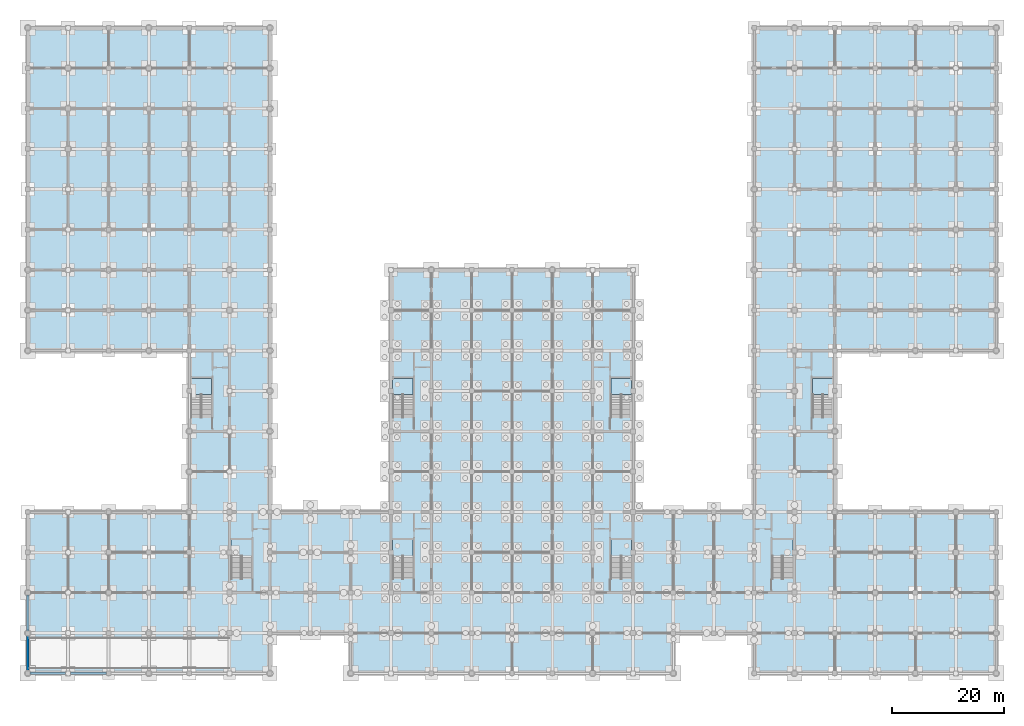
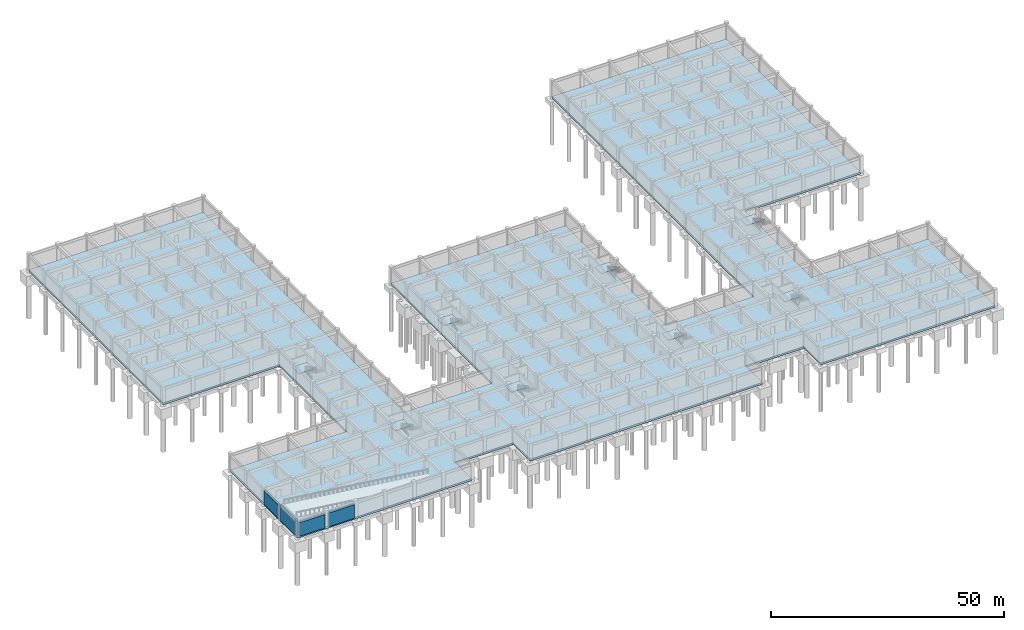
# One storey, part 13 of 25: 9 slabs, 4 walls, 8 elements without a shape of their own.
"""IFC4 building model written with IfcOpenShell, lengths in metres."""

from ifc_helpers import new_model, si_unit, direction, frame, frame_2d, origin, place, context, subcontext, project, spatial, polyline, rectangle, outline, extrude, material, layer, layer_set, type_object, element, aggregate, save


model = new_model("IFC4")

# Units and contexts
model_context = context("Model", 3, precision=1e-05, world=origin(), true_north=direction((0.0, 1.0)))
body_context = subcontext(model_context, "Body", "Model", "MODEL_VIEW")
ifc_project = project(units=[si_unit("LENGTHUNIT", "METRE"), si_unit("AREAUNIT", "SQUARE_METRE"), si_unit("VOLUMEUNIT", "CUBIC_METRE"), si_unit("PLANEANGLEUNIT", "RADIAN"), si_unit("MASSUNIT", "GRAM", prefix="KILO")], contexts=[model_context])

# Site, building, storey
site_placement = place(None, origin())
site = spatial("IfcSite", under=ifc_project, at=site_placement, CompositionType="ELEMENT")
building_placement = place(site_placement, origin())
building = spatial("IfcBuilding", under=site, at=building_placement, Name="Cendaluz Park School", CompositionType="ELEMENT")
storey_placement = place(building_placement, frame((0.0, 0.0, -4.5)))
storey = spatial("IfcBuildingStorey", under=building, at=storey_placement, Name="B1", CompositionType="ELEMENT", Elevation=-4.5)

# Slab
ifc_material = material(Name="Concrete C40/50", Category="concrete")
ifc_layer_1 = layer(ifc_material, 0.5)
ifc_layer_set_1 = layer_set([ifc_layer_1], Name="Concrete C40/50")
slab_type_1 = type_object("IfcSlabType", Name="SL-BA-500", PredefinedType="BASESLAB", material=ifc_layer_set_1)
slab_1_placement = place(storey_placement, frame((0.0, 0.0, -0.5)))
element("IfcSlab", 1, at=slab_1_placement, inside=storey, type_object=slab_type_1, Name="SL-B1-01", PredefinedType="BASESLAB", context=body_context, shape_type="SweptSolid", body=[
    extrude(outline(polyline([(28.800048828125, 28.800048828125), (28.800048828125, 57.60009765625), (0.0, 57.60009765625), (0.0, 115.199951171875), (43.199951171875, 115.199951171875), (43.199951171875, 28.800048828125), (64.800048828125, 28.800048828125), (64.800048828125, 72.0), (108.0, 72.0), (108.0, 28.800048828125), (129.60009765625, 28.800048828125), (129.60009765625, 115.199951171875), (172.800048828125, 115.199951171875), (172.800048828125, 57.60009765625), (144.0, 57.60009765625), (144.0, 28.800048828125), (172.800048828125, 28.800048828125), (172.800048828125, 0.0), (129.60009765625, 0.0), (129.60009765625, 7.199951171875), (115.199951171875, 7.199951171875), (115.199951171875, 0.0), (57.60009765625, 0.0), (57.60009765625, 7.199951171875), (43.199951171875, 7.199951171875), (43.199951171875, 0.0), (0.0, 0.0), (0.0, 28.800048828125), (28.800048828125, 28.800048828125)])), origin(), (0.0, 0.0, 1.0), 0.5),
])

# Stair, slab
stair_type = type_object("IfcStairType", Name="ST-450-180", PredefinedType="HALF_TURN_STAIR", material=ifc_material)
stair_1_placement = place(storey_placement, origin())
stair_1 = element("IfcStair", 2, at=stair_1_placement, inside=storey, type_object=stair_type, Name="ST-B1-C1", PredefinedType="HALF_TURN_STAIR")
ifc_layer_2 = layer(ifc_material, 0.199951171875)
ifc_layer_set_2 = layer_set([ifc_layer_2], Name="Concrete C40/50")
slab_type_2 = type_object("IfcSlabType", Name="SL-LD-200", PredefinedType="LANDING", material=ifc_layer_set_2)
slab_2_placement = place(storey_placement, frame((0.0, 0.0, 2.050048828125)))
slab_2 = element("IfcSlab", 3, at=slab_2_placement, type_object=slab_type_2, Name="SL-LD-B1-C1", PredefinedType="LANDING", context=body_context, shape_type="SweptSolid", body=[
    extrude(outline(polyline([(65.090087890625, 20.9599609375), (68.77001953125, 20.9599609375), (68.77001953125, 23.860107421875), (65.090087890625, 23.860107421875), (65.090087890625, 20.9599609375)])), origin(), (0.0, 0.0, 1.0), 0.199951171875),
])
aggregate(stair_1, [slab_2])

stair_2_placement = place(storey_placement, origin())
stair_2 = element("IfcStair", 4, at=stair_2_placement, inside=storey, type_object=stair_type, Name="ST-B1-C2", PredefinedType="HALF_TURN_STAIR")
slab_3_placement = place(storey_placement, frame((0.0, 0.0, 2.050048828125)))
slab_3 = element("IfcSlab", 5, at=slab_3_placement, type_object=slab_type_2, Name="SL-LD-B1-C2", PredefinedType="LANDING", context=body_context, shape_type="SweptSolid", body=[
    extrude(outline(polyline([(104.030029296875, 20.9599609375), (107.7099609375, 20.9599609375), (107.7099609375, 23.860107421875), (104.030029296875, 23.860107421875), (104.030029296875, 20.9599609375)])), origin(), (0.0, 0.0, 1.0), 0.199951171875),
])
aggregate(stair_2, [slab_3])

stair_3_placement = place(storey_placement, origin())
stair_3 = element("IfcStair", 6, at=stair_3_placement, inside=storey, type_object=stair_type, Name="ST-B1-C3", PredefinedType="HALF_TURN_STAIR")
slab_4_placement = place(storey_placement, frame((0.0, 0.0, 2.050048828125)))
slab_4 = element("IfcSlab", 7, at=slab_4_placement, type_object=slab_type_2, Name="SL-LD-B1-C3", PredefinedType="LANDING", context=body_context, shape_type="SweptSolid", body=[
    extrude(outline(polyline([(65.090087890625, 49.760009765625), (68.77001953125, 49.760009765625), (68.77001953125, 52.659912109375), (65.090087890625, 52.659912109375), (65.090087890625, 49.760009765625)])), origin(), (0.0, 0.0, 1.0), 0.199951171875),
])
aggregate(stair_3, [slab_4])

stair_4_placement = place(storey_placement, origin())
stair_4 = element("IfcStair", 8, at=stair_4_placement, inside=storey, type_object=stair_type, Name="ST-B1-C4", PredefinedType="HALF_TURN_STAIR")
slab_5_placement = place(storey_placement, frame((0.0, 0.0, 2.050048828125)))
slab_5 = element("IfcSlab", 9, at=slab_5_placement, type_object=slab_type_2, Name="SL-LD-B1-C4", PredefinedType="LANDING", context=body_context, shape_type="SweptSolid", body=[
    extrude(outline(polyline([(104.030029296875, 49.760009765625), (107.7099609375, 49.760009765625), (107.7099609375, 52.659912109375), (104.030029296875, 52.659912109375), (104.030029296875, 49.760009765625)])), origin(), (0.0, 0.0, 1.0), 0.199951171875),
])
aggregate(stair_4, [slab_5])

stair_5_placement = place(storey_placement, origin())
stair_5 = element("IfcStair", 10, at=stair_5_placement, inside=storey, type_object=stair_type, Name="ST-B1-C5", PredefinedType="HALF_TURN_STAIR")
slab_6_placement = place(storey_placement, frame((0.0, 0.0, 2.050048828125)))
slab_6 = element("IfcSlab", 11, at=slab_6_placement, type_object=slab_type_2, Name="SL-LD-B1-C5", PredefinedType="LANDING", context=body_context, shape_type="SweptSolid", body=[
    extrude(outline(polyline([(36.2900390625, 20.9599609375), (39.969970703125, 20.9599609375), (39.969970703125, 23.860107421875), (36.2900390625, 23.860107421875), (36.2900390625, 20.9599609375)])), origin(), (0.0, 0.0, 1.0), 0.199951171875),
])
aggregate(stair_5, [slab_6])

stair_6_placement = place(storey_placement, origin())
stair_6 = element("IfcStair", 12, at=stair_6_placement, inside=storey, type_object=stair_type, Name="ST-B1-C6", PredefinedType="HALF_TURN_STAIR")
slab_7_placement = place(storey_placement, frame((0.0, 0.0, 2.050048828125)))
slab_7 = element("IfcSlab", 13, at=slab_7_placement, type_object=slab_type_2, Name="SL-LD-B1-C6", PredefinedType="LANDING", context=body_context, shape_type="SweptSolid", body=[
    extrude(outline(polyline([(132.830078125, 20.9599609375), (136.510009765625, 20.9599609375), (136.510009765625, 23.860107421875), (132.830078125, 23.860107421875), (132.830078125, 20.9599609375)])), origin(), (0.0, 0.0, 1.0), 0.199951171875),
])
aggregate(stair_6, [slab_7])

stair_7_placement = place(storey_placement, origin())
stair_7 = element("IfcStair", 14, at=stair_7_placement, inside=storey, type_object=stair_type, Name="ST-B1-C7", PredefinedType="HALF_TURN_STAIR")
slab_8_placement = place(storey_placement, frame((0.0, 0.0, 2.050048828125)))
slab_8 = element("IfcSlab", 15, at=slab_8_placement, type_object=slab_type_2, Name="SL-LD-B1-C7", PredefinedType="LANDING", context=body_context, shape_type="SweptSolid", body=[
    extrude(outline(polyline([(29.090087890625, 49.760009765625), (32.77001953125, 49.760009765625), (32.77001953125, 52.659912109375), (29.090087890625, 52.659912109375), (29.090087890625, 49.760009765625)])), origin(), (0.0, 0.0, 1.0), 0.199951171875),
])
aggregate(stair_7, [slab_8])

stair_8_placement = place(storey_placement, origin())
stair_8 = element("IfcStair", 16, at=stair_8_placement, inside=storey, type_object=stair_type, Name="ST-B1-C8", PredefinedType="HALF_TURN_STAIR")
slab_9_placement = place(storey_placement, frame((0.0, 0.0, 2.050048828125)))
slab_9 = element("IfcSlab", 17, at=slab_9_placement, type_object=slab_type_2, Name="SL-LD-B1-C8", PredefinedType="LANDING", context=body_context, shape_type="SweptSolid", body=[
    extrude(outline(polyline([(140.030029296875, 49.760009765625), (143.7099609375, 49.760009765625), (143.7099609375, 52.659912109375), (140.030029296875, 52.659912109375), (140.030029296875, 49.760009765625)])), origin(), (0.0, 0.0, 1.0), 0.199951171875),
])
aggregate(stair_8, [slab_9])

# Walls
ifc_layer_3 = layer(ifc_material, 0.449951171875)
ifc_layer_set_3 = layer_set([ifc_layer_3], Name="Concrete C40/50")
wall_type = type_object("IfcWallType", Name="W-RT45", PredefinedType="SOLIDWALL", material=ifc_layer_set_3)
wall_1_placement = place(storey_placement, frame((0.39990234375, 0.0, 0.0), z_axis=(0.0, 0.0, 1.0), x_axis=(1.0, 0.0, 0.0)))
element("IfcWall", 18, at=wall_1_placement, inside=storey, type_object=wall_type, Name="WL-BA-AA0", PredefinedType="SOLIDWALL", context=body_context, shape_type="SweptSolid", body=[
    extrude(rectangle(XDim=6.35009765625, YDim=0.449951171875, at=frame_2d((3.175048828125, 0.0))), origin(), (0.0, 0.0, 1.0), 3.570068359375),
])
wall_2_placement = place(storey_placement, frame((0.0, 0.39990234375, 0.0), z_axis=(0.0, 0.0, 1.0), x_axis=(0.0, 1.0, 0.0)))
element("IfcWall", 19, at=wall_2_placement, inside=storey, type_object=wall_type, Name="WL-BA-AA1", PredefinedType="SOLIDWALL", context=body_context, shape_type="SweptSolid", body=[
    extrude(rectangle(XDim=6.400146484375, YDim=0.449951171875, at=frame_2d((3.2001953125, 0.0))), origin(), (0.0, 0.0, 1.0), 4.14990234375),
])
wall_3_placement = place(storey_placement, frame((0.0, 7.60009765625, 0.0), z_axis=(0.0, 0.0, 1.0), x_axis=(0.0, 1.0, 0.0)))
element("IfcWall", 20, at=wall_3_placement, inside=storey, type_object=wall_type, Name="WL-BA-AA2", PredefinedType="SOLIDWALL", context=body_context, shape_type="SweptSolid", body=[
    extrude(rectangle(XDim=6.39990234375, YDim=0.449951171875, at=frame_2d((3.199951171875, 0.0))), origin(), (0.0, 0.0, 1.0), 3.570068359375),
])
wall_4_placement = place(storey_placement, frame((7.64990234375, 0.0, 0.0), z_axis=(0.0, 0.0, 1.0), x_axis=(1.0, 0.0, 0.0)))
element("IfcWall", 21, at=wall_4_placement, inside=storey, type_object=wall_type, Name="WL-BA-AB6", PredefinedType="SOLIDWALL", context=body_context, shape_type="SweptSolid", body=[
    extrude(rectangle(XDim=6.35009765625, YDim=0.449951171875, at=frame_2d((3.175048828125, 0.0))), origin(), (0.0, 0.0, 1.0), 3.570068359375),
])

save(model, "model.ifc")
